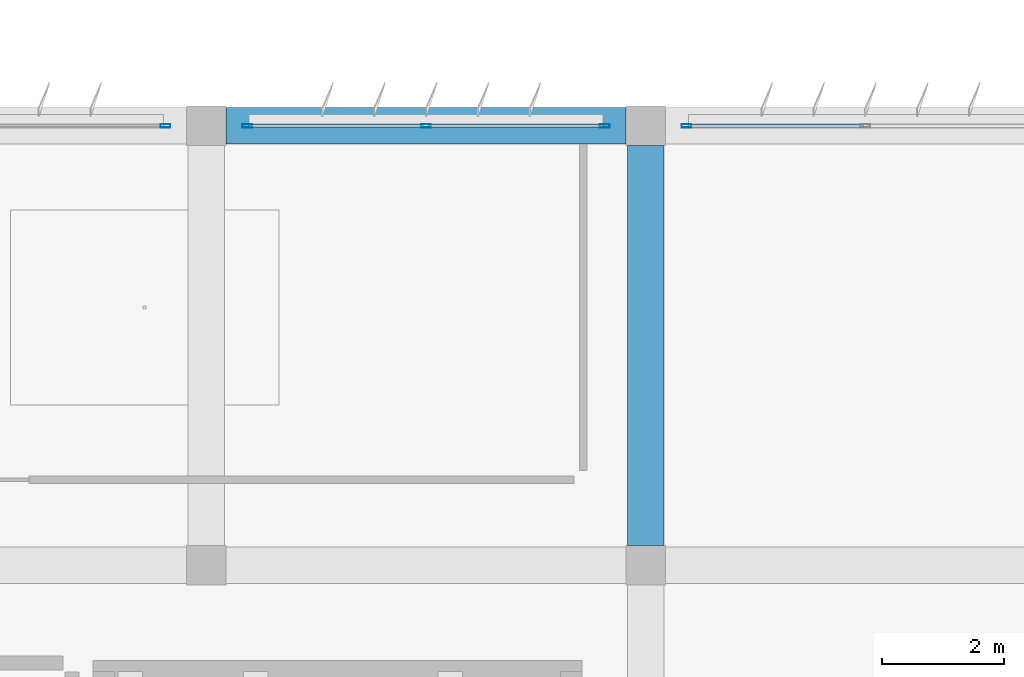
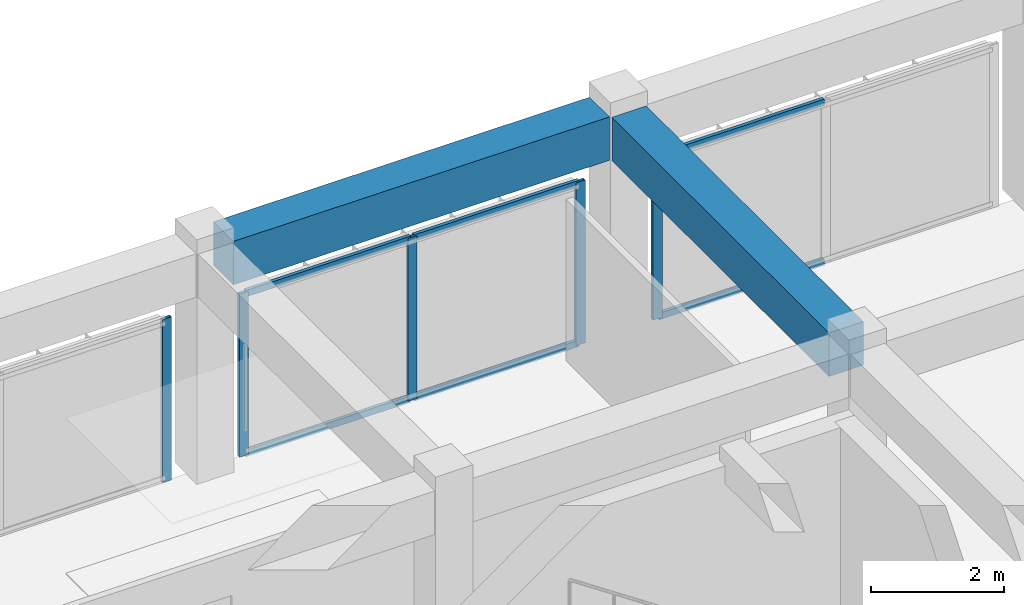
# One storey, part 27 of 56: 11 members, 2 beams, 3 elements without a shape of their own.
"""IFC4 building model written with IfcOpenShell, lengths in metres."""

from ifc_helpers import new_model, si_unit, direction, frame, origin, origin_2d, place, context, subcontext, project, spatial, rectangle, hollow_rectangle, extrude, material, material_profile, profile_set, type_object, element, aggregate, save


model = new_model("IFC4")

# Units and contexts
model_context = context("Model", 3, precision=1e-05, world=origin(), true_north=direction((0.0, 1.0)))
body_context = subcontext(model_context, "Body", "Model", "MODEL_VIEW")
ifc_project = project(units=[si_unit("LENGTHUNIT", "METRE"), si_unit("AREAUNIT", "SQUARE_METRE"), si_unit("VOLUMEUNIT", "CUBIC_METRE"), si_unit("PLANEANGLEUNIT", "RADIAN"), si_unit("MASSUNIT", "GRAM", prefix="KILO")], contexts=[model_context])

# Site, building, storey
site_placement = place(None, origin())
site = spatial("IfcSite", under=ifc_project, at=site_placement, CompositionType="ELEMENT")
building_placement = place(site_placement, origin())
building = spatial("IfcBuilding", under=site, at=building_placement, Name="Kazehaya Institute of Natural Sciences", CompositionType="ELEMENT")
storey_placement = place(building_placement, frame((0.0, 0.0, 28.800048828125)))
storey = spatial("IfcBuildingStorey", under=building, at=storey_placement, Name="L06", CompositionType="ELEMENT", Elevation=28.800048828125)

# Beams
ifc_material_1 = material(Name="Concrete Fc36", Category="concrete")
ifc_material_profile_1 = material_profile(ifc_material_1, rectangle(XDim=0.60009765625, YDim=0.800048828125, at=origin_2d()), Name="RC-600x800")
ifc_profile_set_1 = profile_set([ifc_material_profile_1], Name="Concrete Fc36")
beam_type = type_object("IfcBeamType", Name="BM-G-600x800", PredefinedType="BEAM", material=ifc_profile_set_1)
beam_1_placement = place(storey_placement, frame((105.324951171875, 35.60009765625, 3.829833984375), z_axis=(1.0, 0.0, 0.0), x_axis=(0.0, 1.0, 0.0)))
element("IfcBeam", 1, at=beam_1_placement, inside=storey, type_object=beam_type, Name="L06 primary X girder BMX-L06-1050-356", PredefinedType="BEAM", context=body_context, shape_type="SweptSolid", body=[
    extrude(rectangle(XDim=0.60009765625, YDim=0.800048828125, at=origin_2d()), origin(), (0.0, 0.0, 1.0), 6.550048828125),
])
beam_2_placement = place(storey_placement, frame((112.199951171875, 28.72509765625, 3.829833984375), z_axis=(0.0, 1.0, 0.0), x_axis=(-1.0, 0.0, 0.0)))
element("IfcBeam", 2, at=beam_2_placement, inside=storey, type_object=beam_type, Name="L06 primary Y girder BMY-L06-1122-284", PredefinedType="BEAM", context=body_context, shape_type="SweptSolid", body=[
    extrude(rectangle(XDim=0.60009765625, YDim=0.800048828125, at=origin_2d()), origin(), (0.0, 0.0, 1.0), 6.5498046875),
])

# Curtain wall, member
ifc_material_2 = material(Name="Aluminium alloy A6063S-T5", Category="aluminium")
curtain_wall_type = type_object("IfcCurtainWallType", Name="CW-SYS-04", PredefinedType="NOTDEFINED", material=ifc_material_2)
curtain_wall_1_placement = place(storey_placement, origin())
curtain_wall_1 = element("IfcCurtainWall", 3, at=curtain_wall_1_placement, inside=storey, type_object=curtain_wall_type, Name="L06 unitised curtain wall CW-L06-135", PredefinedType="NOTDEFINED")
ifc_material_profile_2 = material_profile(ifc_material_2, hollow_rectangle(XDim=0.06005859375, YDim=0.159912109375, WallThickness=0.00390625, at=origin_2d()), Name="ALU-60x160x4")
ifc_profile_set_2 = profile_set([ifc_material_profile_2], Name="Aluminium alloy A6063S-T5")
member_type_1 = type_object("IfcMemberType", Name="CWM-160", PredefinedType="MULLION", material=ifc_profile_set_2)
member_1_placement = place(storey_placement, frame((104.330078125, 35.60009765625, 0.0), z_axis=(0.0, 0.0, 1.0), x_axis=(0.0, 1.0, 0.0)))
member_1 = element("IfcMember", 4, at=member_1_placement, type_object=member_type_1, Name="CW04 mullion 3", PredefinedType="MULLION", context=body_context, shape_type="SweptSolid", body=[
    extrude(hollow_rectangle(XDim=0.06005859375, YDim=0.159912109375, WallThickness=0.00390625, at=origin_2d()), origin(), (0.0, 0.0, 1.0), 3.0),
])
aggregate(curtain_wall_1, [member_1])

# Curtain wall, members
curtain_wall_2_placement = place(storey_placement, origin())
curtain_wall_2 = element("IfcCurtainWall", 5, at=curtain_wall_2_placement, inside=storey, type_object=curtain_wall_type, Name="L06 unitised curtain wall CW-L06-136", PredefinedType="NOTDEFINED")
member_2_placement = place(storey_placement, frame((105.669921875, 35.60009765625, 0.0), z_axis=(0.0, 0.0, 1.0), x_axis=(0.0, 1.0, 0.0)))
member_2 = element("IfcMember", 6, at=member_2_placement, type_object=member_type_1, Name="CW04 mullion 1", PredefinedType="MULLION", context=body_context, shape_type="SweptSolid", body=[
    extrude(hollow_rectangle(XDim=0.06005859375, YDim=0.159912109375, WallThickness=0.00390625, at=origin_2d()), origin(), (0.0, 0.0, 1.0), 3.0),
])
member_3_placement = place(storey_placement, frame((108.60009765625, 35.60009765625, 0.0), z_axis=(0.0, 0.0, 1.0), x_axis=(0.0, 1.0, 0.0)))
member_3 = element("IfcMember", 7, at=member_3_placement, type_object=member_type_1, Name="CW04 mullion 2", PredefinedType="MULLION", context=body_context, shape_type="SweptSolid", body=[
    extrude(hollow_rectangle(XDim=0.06005859375, YDim=0.159912109375, WallThickness=0.00390625, at=origin_2d()), origin(), (0.0, 0.0, 1.0), 3.0),
])
member_4_placement = place(storey_placement, frame((111.530029296875, 35.60009765625, 0.0), z_axis=(0.0, 0.0, 1.0), x_axis=(0.0, 1.0, 0.0)))
member_4 = element("IfcMember", 8, at=member_4_placement, type_object=member_type_1, Name="CW04 mullion 3", PredefinedType="MULLION", context=body_context, shape_type="SweptSolid", body=[
    extrude(hollow_rectangle(XDim=0.06005859375, YDim=0.159912109375, WallThickness=0.00390625, at=origin_2d()), origin(), (0.0, 0.0, 1.0), 3.0),
])

# Curtain wall, member
curtain_wall_3_placement = place(storey_placement, origin())
curtain_wall_3 = element("IfcCurtainWall", 9, at=curtain_wall_3_placement, inside=storey, type_object=curtain_wall_type, Name="L06 unitised curtain wall CW-L06-137", PredefinedType="NOTDEFINED")
member_5_placement = place(storey_placement, frame((112.8701171875, 35.60009765625, 0.0), z_axis=(0.0, 0.0, 1.0), x_axis=(0.0, 1.0, 0.0)))
member_5 = element("IfcMember", 10, at=member_5_placement, type_object=member_type_1, Name="CW04 mullion 1", PredefinedType="MULLION", context=body_context, shape_type="SweptSolid", body=[
    extrude(hollow_rectangle(XDim=0.06005859375, YDim=0.159912109375, WallThickness=0.00390625, at=origin_2d()), origin(), (0.0, 0.0, 1.0), 3.0),
])

# Member
ifc_material_profile_3 = material_profile(ifc_material_2, hollow_rectangle(XDim=0.06005859375, YDim=0.1201171875, WallThickness=0.00341796875, at=origin_2d()), Name="ALU-60x120x3.5")
ifc_profile_set_3 = profile_set([ifc_material_profile_3], Name="Aluminium alloy A6063S-T5")
member_type_2 = type_object("IfcMemberType", Name="CWT-120", PredefinedType="USERDEFINED", material=ifc_profile_set_3)
member_6_placement = place(storey_placement, frame((105.699951171875, 35.60009765625, 0.030029296875), z_axis=(1.0, 0.0, 0.0), x_axis=(0.0, 1.0, 0.0)))
member_6 = element("IfcMember", 11, at=member_6_placement, type_object=member_type_2, Name="CW04 transom 1.1", ObjectType="TRANSOM", PredefinedType="USERDEFINED", context=body_context, shape_type="SweptSolid", body=[
    extrude(hollow_rectangle(XDim=0.06005859375, YDim=0.1201171875, WallThickness=0.00341796875, at=origin_2d()), origin(), (0.0, 0.0, 1.0), 2.8701171875),
])

member_7_placement = place(storey_placement, frame((105.699951171875, 35.60009765625, 2.969970703125), z_axis=(1.0, 0.0, 0.0), x_axis=(0.0, 1.0, 0.0)))
member_7 = element("IfcMember", 12, at=member_7_placement, type_object=member_type_2, Name="CW04 transom 1.2", ObjectType="TRANSOM", PredefinedType="USERDEFINED", context=body_context, shape_type="SweptSolid", body=[
    extrude(hollow_rectangle(XDim=0.06005859375, YDim=0.1201171875, WallThickness=0.00341796875, at=origin_2d()), origin(), (0.0, 0.0, 1.0), 2.8701171875),
])

member_8_placement = place(storey_placement, frame((108.6298828125, 35.60009765625, 0.030029296875), z_axis=(1.0, 0.0, 0.0), x_axis=(0.0, 1.0, 0.0)))
member_8 = element("IfcMember", 13, at=member_8_placement, type_object=member_type_2, Name="CW04 transom 2.1", ObjectType="TRANSOM", PredefinedType="USERDEFINED", context=body_context, shape_type="SweptSolid", body=[
    extrude(hollow_rectangle(XDim=0.06005859375, YDim=0.1201171875, WallThickness=0.00341796875, at=origin_2d()), origin(), (0.0, 0.0, 1.0), 2.8701171875),
])

member_9_placement = place(storey_placement, frame((108.6298828125, 35.60009765625, 2.969970703125), z_axis=(1.0, 0.0, 0.0), x_axis=(0.0, 1.0, 0.0)))
member_9 = element("IfcMember", 14, at=member_9_placement, type_object=member_type_2, Name="CW04 transom 2.2", ObjectType="TRANSOM", PredefinedType="USERDEFINED", context=body_context, shape_type="SweptSolid", body=[
    extrude(hollow_rectangle(XDim=0.06005859375, YDim=0.1201171875, WallThickness=0.00341796875, at=origin_2d()), origin(), (0.0, 0.0, 1.0), 2.8701171875),
])

aggregate(curtain_wall_2, [member_2, member_3, member_4, member_6, member_7, member_8, member_9])

member_10_placement = place(storey_placement, frame((112.89990234375, 35.60009765625, 0.030029296875), z_axis=(1.0, 0.0, 0.0), x_axis=(0.0, 1.0, 0.0)))
member_10 = element("IfcMember", 15, at=member_10_placement, type_object=member_type_2, Name="CW04 transom 1.1", ObjectType="TRANSOM", PredefinedType="USERDEFINED", context=body_context, shape_type="SweptSolid", body=[
    extrude(hollow_rectangle(XDim=0.06005859375, YDim=0.1201171875, WallThickness=0.00341796875, at=origin_2d()), origin(), (0.0, 0.0, 1.0), 2.8701171875),
])

member_11_placement = place(storey_placement, frame((112.89990234375, 35.60009765625, 2.969970703125), z_axis=(1.0, 0.0, 0.0), x_axis=(0.0, 1.0, 0.0)))
member_11 = element("IfcMember", 16, at=member_11_placement, type_object=member_type_2, Name="CW04 transom 1.2", ObjectType="TRANSOM", PredefinedType="USERDEFINED", context=body_context, shape_type="SweptSolid", body=[
    extrude(hollow_rectangle(XDim=0.06005859375, YDim=0.1201171875, WallThickness=0.00341796875, at=origin_2d()), origin(), (0.0, 0.0, 1.0), 2.8701171875),
])

aggregate(curtain_wall_3, [member_5, member_10, member_11])

save(model, "model.ifc")
